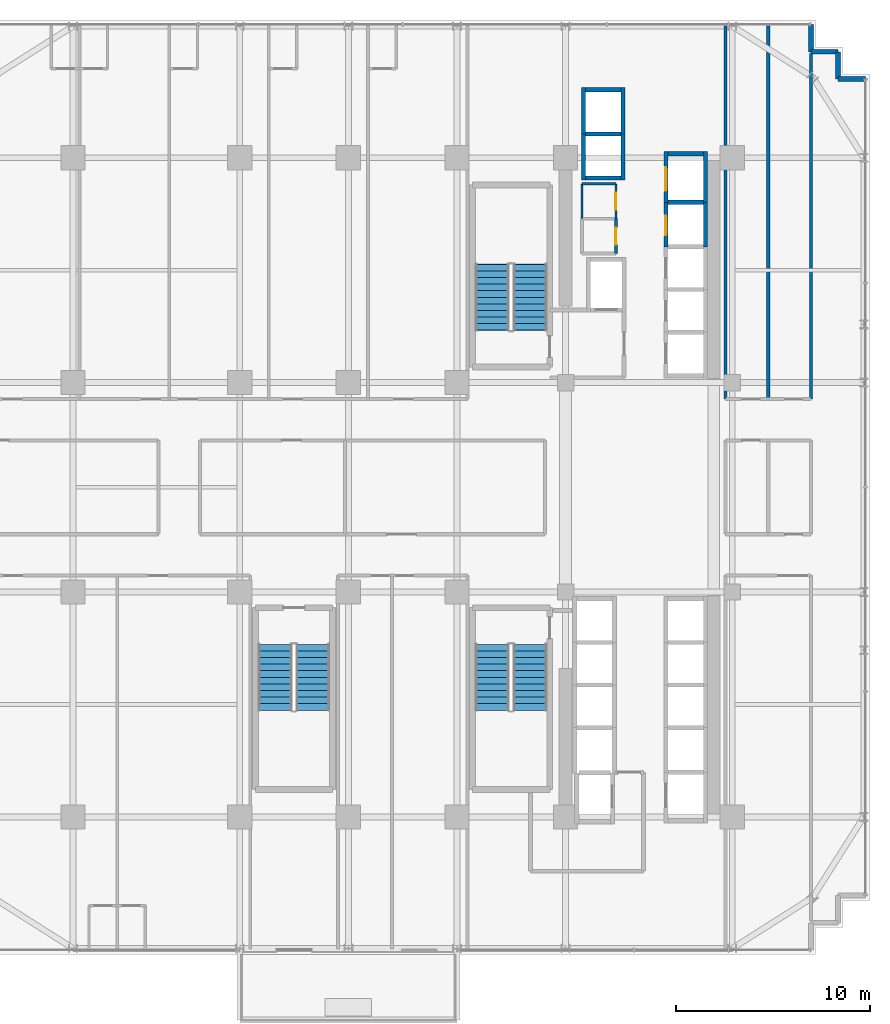
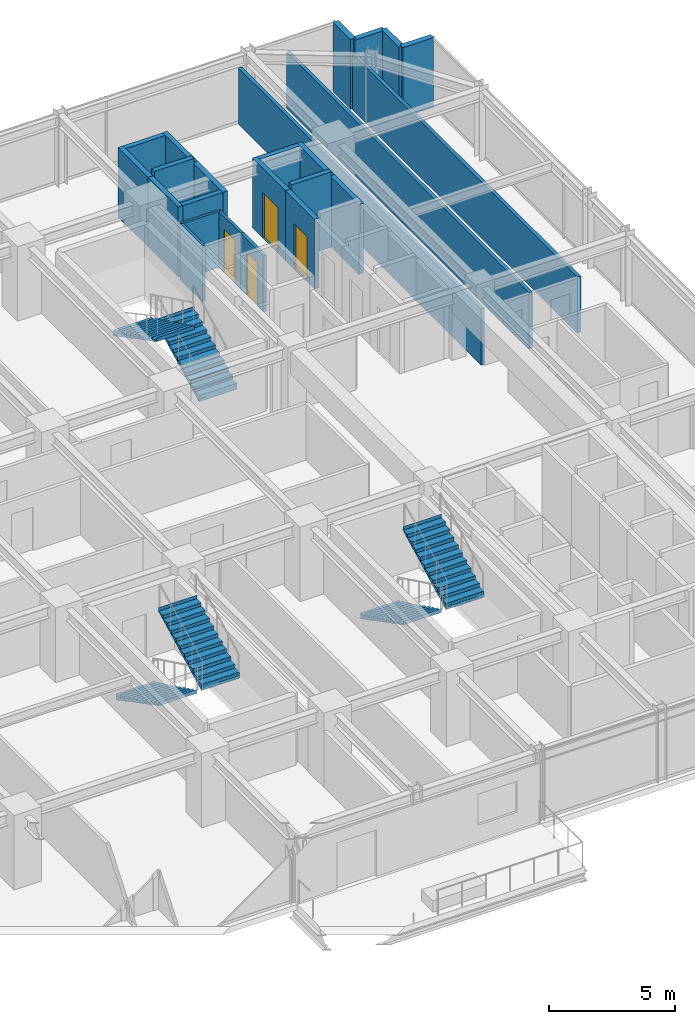
# One storey, part 28 of 31: 24 walls, 6 stair flights, 4 doors, 4 openings, 3 elements without a shape of their own.
"""IFC4 building model written with IfcOpenShell, lengths in metres."""

from ifc_helpers import new_model, si_unit, direction, frame, frame_2d, origin, place, context, subcontext, project, spatial, polyline, rectangle, outline, extrude, source, transform, mapped, material, layer, layer_set, type_object, element, fill, aggregate, save


model = new_model("IFC4")

# Units and contexts
model_context = context("Model", 3, precision=1e-05, world=origin(), true_north=direction((0.0, 1.0)))
body_context = subcontext(model_context, "Body", "Model", "MODEL_VIEW")
ifc_project = project(units=[si_unit("LENGTHUNIT", "METRE"), si_unit("AREAUNIT", "SQUARE_METRE"), si_unit("VOLUMEUNIT", "CUBIC_METRE"), si_unit("PLANEANGLEUNIT", "RADIAN"), si_unit("MASSUNIT", "GRAM", prefix="KILO")], contexts=[model_context])

# Site, building, storey
site_placement = place(None, origin())
site = spatial("IfcSite", under=ifc_project, at=site_placement, CompositionType="ELEMENT")
building_placement = place(site_placement, origin())
building = spatial("IfcBuilding", under=site, at=building_placement, Name="Nahalor Promenade Grand Hotel", CompositionType="ELEMENT")
storey_placement = place(building_placement, frame((0.0, 0.0, 95.60009765625)))
storey = spatial("IfcBuildingStorey", under=building, at=storey_placement, Name="L23", CompositionType="ELEMENT", Elevation=95.60009765625)

# Walls
ifc_material_1 = material(Name="Concrete B-50 (C40/50)", Category="concrete")
ifc_layer_1 = layer(ifc_material_1, 0.219970703125)
ifc_layer_set_1 = layer_set([ifc_layer_1], Name="Concrete B-50 (C40/50)")
wall_type_1 = type_object("IfcWallType", Name="Wall-LiftShaft-220", PredefinedType="SHEAR", material=ifc_layer_set_1)
shared_shape_1 = source(origin(), body_context, "Body", "SweptSolid", [
    extrude(rectangle(XDim=1.820068359375, YDim=0.219970703125, at=frame_2d((0.91015625, 0.0))), origin(), (0.0, 0.0, 1.0), 3.64990234375),
])
for number, where, z_axis, x_axis, name in (
    (1, (13.68994140625, 14.699951171875, 0.0), (0.0, 0.0, 1.0), (1.0, 0.0, 0.0), "L23 Lift PL4 Hoistway Wall N"),
    (2, (9.43994140625, 18.22509765625, 0.0), (0.0, 0.0, 1.0), (1.0, 0.0, 0.0), "L23 Lift OB1 Hoistway Wall N"),
):
    element("IfcWall", number, at=place(storey_placement, frame(where, z_axis=z_axis, x_axis=x_axis)), inside=storey, type_object=wall_type_1, Name=name, PredefinedType="SHEAR", context=body_context, shape_type="MappedRepresentation", body=[
        mapped(shared_shape_1, transform((0.0, 0.0, 0.0), scale=1.0)),
    ])
shared_shape_2 = source(origin(), body_context, "Body", "SweptSolid", [
    extrude(rectangle(XDim=1.820068359375, YDim=0.219970703125, at=frame_2d((0.91015625, 0.0))), origin(), (0.0, 0.0, 1.0), 3.3798828125),
])
for number, where, z_axis, x_axis, name in (
    (3, (9.43994140625, 15.949951171875, 0.0), (0.0, 0.0, 1.0), (1.0, 0.0, 0.0), "L23 Lift OB1 Hoistway Wall S"),
    (4, (9.43994140625, 20.5, 0.0), (0.0, 0.0, 1.0), (1.0, 0.0, 0.0), "L23 Lift OB2 Hoistway Wall N"),
    (5, (13.68994140625, 17.199951171875, 0.0), (0.0, 0.0, 1.0), (1.0, 0.0, 0.0), "L23 Lift SV1 Hoistway Wall N"),
):
    element("IfcWall", number, at=place(storey_placement, frame(where, z_axis=z_axis, x_axis=x_axis)), inside=storey, type_object=wall_type_1, Name=name, PredefinedType="SHEAR", context=body_context, shape_type="MappedRepresentation", body=[
        mapped(shared_shape_2, transform((0.0, 0.0, 0.0), scale=1.0)),
    ])

# Wall, opening, door
shared_shape_3 = source(origin(), body_context, "Body", "SweptSolid", [
    extrude(rectangle(XDim=2.300048828125, YDim=0.219970703125, at=frame_2d((1.14990234375, 0.0))), origin(), (0.0, 0.0, 1.0), 3.3798828125),
])
wall_1_placement = place(storey_placement, frame((13.580078125, 12.39990234375, 0.0), z_axis=(0.0, 0.0, 1.0), x_axis=(0.0, 1.0, 0.0)))
wall_1 = element("IfcWall", 6, at=wall_1_placement, inside=storey, type_object=wall_type_1, Name="L23 Lift PL4 Hoistway Wall W", PredefinedType="SHEAR", context=body_context, shape_type="MappedRepresentation", body=[
    mapped(shared_shape_3, transform((0.0, 0.0, 0.0), scale=1.0)),
])
opening_1_placement = place(wall_1_placement, frame((0.60009765625, 0.0, 0.0)))
opening_1 = element("IfcOpeningElement", 7, at=opening_1_placement, cuts=wall_1, Name="Opening LD-01", PredefinedType="OPENING", context=body_context, shape_type="SweptSolid", body=[
    extrude(rectangle(XDim=1.0, YDim=2.199951171875, at=frame_2d((0.5, 1.10009765625))), frame((0.0, 0.119873046875, 0.0), z_axis=(0.0, -1.0, 0.0), x_axis=(1.0, 0.0, 0.0)), (0.0, 0.0, 1.0), 0.239990234375),
])
ifc_material_2 = material(Name="Steel S355JR", Category="steel")
door_type_1 = type_object("IfcDoorType", Name="Door-LiftLanding-1000", OperationType="DOUBLE_DOOR_SLIDING", PredefinedType="DOOR", material=ifc_material_2)
shared_shape_4 = source(origin(), body_context, "Body", "SweptSolid", [
    extrude(rectangle(XDim=1.0, YDim=2.199951171875, at=frame_2d((0.5, 1.10009765625))), frame((0.0, 0.02490234375, 0.0), z_axis=(0.0, -1.0, 0.0), x_axis=(1.0, 0.0, 0.0)), (0.0, 0.0, 1.0), 0.050048828125),
])
door_1_placement = place(opening_1_placement, origin())
door_1 = element("IfcDoor", 8, at=door_1_placement, inside=storey, type_object=door_type_1, Name="DR-LIFT-PL4-L23", OperationType="DOUBLE_DOOR_SLIDING", OverallHeight=2.199951171875, OverallWidth=1.0, PredefinedType="DOOR", context=body_context, shape_type="MappedRepresentation", body=[
    mapped(shared_shape_4, transform((0.0, 0.0, 0.0), scale=1.0)),
])
fill(opening_1, door_1)

# Walls
wall_2_placement = place(storey_placement, frame((15.6201171875, 12.39990234375, 0.0), z_axis=(0.0, 0.0, 1.0), x_axis=(0.0, 1.0, 0.0)))
element("IfcWall", 9, at=wall_2_placement, inside=storey, type_object=wall_type_1, Name="L23 Lift PL4 Hoistway Wall E", PredefinedType="SHEAR", context=body_context, shape_type="MappedRepresentation", body=[
    mapped(shared_shape_3, transform((0.0, 0.0, 0.0), scale=1.0)),
])
shared_shape_5 = source(origin(), body_context, "Body", "SweptSolid", [
    extrude(rectangle(XDim=2.385009765625, YDim=0.219970703125, at=frame_2d((1.1923828125, 0.0))), origin(), (0.0, 0.0, 1.0), 3.3798828125),
])
for number, where, z_axis, x_axis, name in (
    (10, (9.330078125, 15.840087890625, 0.0), (0.0, 0.0, 1.0), (0.0, 1.0, 0.0), "L23 Lift OB1 Hoistway Wall W"),
    (11, (11.3701171875, 15.840087890625, 0.0), (0.0, 0.0, 1.0), (0.0, 1.0, 0.0), "L23 Lift OB1 Hoistway Wall E"),
    (12, (9.330078125, 18.22509765625, 0.0), (0.0, 0.0, 1.0), (0.0, 1.0, 0.0), "L23 Lift OB2 Hoistway Wall W"),
    (13, (11.3701171875, 18.22509765625, 0.0), (0.0, 0.0, 1.0), (0.0, 1.0, 0.0), "L23 Lift OB2 Hoistway Wall E"),
):
    element("IfcWall", number, at=place(storey_placement, frame(where, z_axis=z_axis, x_axis=x_axis)), inside=storey, type_object=wall_type_1, Name=name, PredefinedType="SHEAR", context=body_context, shape_type="MappedRepresentation", body=[
        mapped(shared_shape_5, transform((0.0, 0.0, 0.0), scale=1.0)),
    ])

# Wall, opening, door
shared_shape_6 = source(origin(), body_context, "Body", "SweptSolid", [
    extrude(rectangle(XDim=2.610107421875, YDim=0.219970703125, at=frame_2d((1.30517578125, 0.0))), origin(), (0.0, 0.0, 1.0), 3.3798828125),
])
wall_3_placement = place(storey_placement, frame((13.580078125, 14.699951171875, 0.0), z_axis=(0.0, 0.0, 1.0), x_axis=(0.0, 1.0, 0.0)))
wall_3 = element("IfcWall", 14, at=wall_3_placement, inside=storey, type_object=wall_type_1, Name="L23 Lift SV1 Hoistway Wall W", PredefinedType="SHEAR", context=body_context, shape_type="MappedRepresentation", body=[
    mapped(shared_shape_6, transform((0.0, 0.0, 0.0), scale=1.0)),
])
opening_2_placement = place(wall_3_placement, frame((0.60009765625, 0.0, 0.0)))
opening_2 = element("IfcOpeningElement", 15, at=opening_2_placement, cuts=wall_3, Name="Opening LD-03", PredefinedType="OPENING", context=body_context, shape_type="SweptSolid", body=[
    extrude(rectangle(XDim=1.199951171875, YDim=2.199951171875, at=frame_2d((0.60009765625, 1.10009765625))), frame((0.0, 0.119873046875, 0.0), z_axis=(0.0, -1.0, 0.0), x_axis=(1.0, 0.0, 0.0)), (0.0, 0.0, 1.0), 0.239990234375),
])
door_type_2 = type_object("IfcDoorType", Name="Door-LiftService-1200", OperationType="DOUBLE_DOOR_SLIDING", PredefinedType="DOOR", material=ifc_material_2)
shared_shape_7 = source(origin(), body_context, "Body", "SweptSolid", [
    extrude(rectangle(XDim=1.199951171875, YDim=2.199951171875, at=frame_2d((0.60009765625, 1.10009765625))), frame((0.0, 0.02490234375, 0.0), z_axis=(0.0, -1.0, 0.0), x_axis=(1.0, 0.0, 0.0)), (0.0, 0.0, 1.0), 0.050048828125),
])
door_2_placement = place(opening_2_placement, origin())
door_2 = element("IfcDoor", 16, at=door_2_placement, inside=storey, type_object=door_type_2, Name="DR-LIFT-SV1-L23", OperationType="DOUBLE_DOOR_SLIDING", OverallHeight=2.199951171875, OverallWidth=1.199951171875, PredefinedType="DOOR", context=body_context, shape_type="MappedRepresentation", body=[
    mapped(shared_shape_7, transform((0.0, 0.0, 0.0), scale=1.0)),
])
fill(opening_2, door_2)

# Walls
wall_4_placement = place(storey_placement, frame((15.6201171875, 14.699951171875, 0.0), z_axis=(0.0, 0.0, 1.0), x_axis=(0.0, 1.0, 0.0)))
element("IfcWall", 17, at=wall_4_placement, inside=storey, type_object=wall_type_1, Name="L23 Lift SV1 Hoistway Wall E", PredefinedType="SHEAR", context=body_context, shape_type="MappedRepresentation", body=[
    mapped(shared_shape_6, transform((0.0, 0.0, 0.0), scale=1.0)),
])
ifc_material_3 = material(Name="Concrete B-40 (C32/40)", Category="concrete")
ifc_layer_2 = layer(ifc_material_3, 0.25)
ifc_layer_set_2 = layer_set([ifc_layer_2], Name="Concrete B-40 (C32/40)")
wall_type_2 = type_object("IfcWallType", Name="Wall-BronzePier-250", PredefinedType="STANDARD", material=ifc_layer_set_2)
shared_shape_8 = source(origin(), body_context, "Body", "SweptSolid", [
    extrude(rectangle(XDim=1.400146484375, YDim=0.25, at=frame_2d((0.7001953125, 0.0))), origin(), (0.0, 0.0, 1.0), 3.3798828125),
])
for number, where, z_axis, x_axis, name in (
    (18, (22.4599609375, 21.06005859375, 0.0), (0.0, 0.0, 1.0), (1.0, 0.0, 0.0), "W-L23-SR-05"),
    (19, (21.06005859375, 22.4599609375, 0.0), (0.0, 0.0, 1.0), (0.0, 1.0, 0.0), "W-L23-SR-08"),
):
    element("IfcWall", number, at=place(storey_placement, frame(where, z_axis=z_axis, x_axis=x_axis)), inside=storey, type_object=wall_type_2, Name=name, PredefinedType="STANDARD", context=body_context, shape_type="MappedRepresentation", body=[
        mapped(shared_shape_8, transform((0.0, 0.0, 0.0), scale=1.0)),
    ])
shared_shape_9 = source(origin(), body_context, "Body", "SweptSolid", [
    extrude(rectangle(XDim=1.39990234375, YDim=0.25, at=frame_2d((0.699951171875, 0.0))), origin(), (0.0, 0.0, 1.0), 3.3798828125),
])
for number, where, z_axis, x_axis, name in (
    (20, (22.4599609375, 21.06005859375, 0.0), (0.0, 0.0, 1.0), (0.0, 1.0, 0.0), "W-L23-SR-06"),
    (21, (21.06005859375, 22.4599609375, 0.0), (0.0, 0.0, 1.0), (1.0, 0.0, 0.0), "W-L23-SR-07"),
):
    element("IfcWall", number, at=place(storey_placement, frame(where, z_axis=z_axis, x_axis=x_axis)), inside=storey, type_object=wall_type_2, Name=name, PredefinedType="STANDARD", context=body_context, shape_type="MappedRepresentation", body=[
        mapped(shared_shape_9, transform((0.0, 0.0, 0.0), scale=1.0)),
    ])
ifc_material_4 = material(Name="Acoustic Mineral Gypsum", Category="gypsum")
ifc_layer_3 = layer(ifc_material_4, 0.1201171875)
ifc_layer_set_3 = layer_set([ifc_layer_3], Name="Acoustic Mineral Gypsum")
wall_type_3 = type_object("IfcWallType", Name="Wall-PartBath-120", PredefinedType="PARTITIONING", material=ifc_layer_set_3)
shared_shape_10 = source(origin(), body_context, "Body", "SweptSolid", [
    extrude(rectangle(XDim=1.75, YDim=0.1201171875, at=frame_2d((0.875, 0.0))), origin(), (0.0, 0.0, 1.0), 2.719970703125),
])
wall_5_placement = place(storey_placement, frame((9.25, 15.64990234375, 0.0), z_axis=(0.0, 0.0, 1.0), x_axis=(1.0, 0.0, 0.0)))
element("IfcWall", 22, at=wall_5_placement, inside=storey, type_object=wall_type_3, Name="W-L23-CK2B-N", PredefinedType="PARTITIONING", context=body_context, shape_type="MappedRepresentation", body=[
    mapped(shared_shape_10, transform((0.0, 0.0, 0.0), scale=1.0)),
])
ifc_layer_4 = layer(ifc_material_4, 0.159912109375)
ifc_layer_set_4 = layer_set([ifc_layer_4], Name="Acoustic Mineral Gypsum")
wall_type_4 = type_object("IfcWallType", Name="Wall-PartCorridor-160", PredefinedType="PARTITIONING", material=ifc_layer_set_4)
shared_shape_11 = source(origin(), body_context, "Body", "SweptSolid", [
    extrude(rectangle(XDim=19.25, YDim=0.159912109375, at=frame_2d((9.625, 0.0))), origin(), (0.0, 0.0, 1.0), 2.719970703125),
])
for number, where, z_axis, x_axis, name in (
    (23, (16.64990234375, 4.550048828125, 0.0), (0.0, 0.0, 1.0), (0.0, 1.0, 0.0), "W-L23-ENE1-W"),
    (24, (18.85498046875, 4.550048828125, 0.0), (0.0, 0.0, 1.0), (0.0, 1.0, 0.0), "W-L23-ENE1-E"),
):
    element("IfcWall", number, at=place(storey_placement, frame(where, z_axis=z_axis, x_axis=x_axis)), inside=storey, type_object=wall_type_4, Name=name, PredefinedType="PARTITIONING", context=body_context, shape_type="MappedRepresentation", body=[
        mapped(shared_shape_11, transform((0.0, 0.0, 0.0), scale=1.0)),
    ])
shared_shape_12 = source(origin(), body_context, "Body", "SweptSolid", [
    extrude(rectangle(XDim=17.829833984375, YDim=0.159912109375, at=frame_2d((8.9150390625, 0.0))), origin(), (0.0, 0.0, 1.0), 2.719970703125),
])
wall_6_placement = place(storey_placement, frame((21.06005859375, 4.550048828125, 0.0), z_axis=(0.0, 0.0, 1.0), x_axis=(0.0, 1.0, 0.0)))
element("IfcWall", 25, at=wall_6_placement, inside=storey, type_object=wall_type_4, Name="W-L23-ENE2-E", PredefinedType="PARTITIONING", context=body_context, shape_type="MappedRepresentation", body=[
    mapped(shared_shape_12, transform((0.0, 0.0, 0.0), scale=1.0)),
])

# Wall, opening, door
ifc_layer_5 = layer(ifc_material_4, 0.14990234375)
ifc_layer_set_5 = layer_set([ifc_layer_5], Name="Acoustic Mineral Gypsum")
wall_type_5 = type_object("IfcWallType", Name="Wall-PartService-150", PredefinedType="PARTITIONING", material=ifc_layer_set_5)
shared_shape_13 = source(origin(), body_context, "Body", "SweptSolid", [
    extrude(rectangle(XDim=1.800048828125, YDim=0.14990234375, at=frame_2d((0.89990234375, 0.0))), origin(), (0.0, 0.0, 1.0), 2.719970703125),
])
wall_7_placement = place(storey_placement, frame((11.0, 12.050048828125, 0.0), z_axis=(0.0, 0.0, 1.0), x_axis=(0.0, 1.0, 0.0)))
wall_7 = element("IfcWall", 26, at=wall_7_placement, inside=storey, type_object=wall_type_5, Name="W-L23-CK2A-E", PredefinedType="PARTITIONING", context=body_context, shape_type="MappedRepresentation", body=[
    mapped(shared_shape_13, transform((0.0, 0.0, 0.0), scale=1.0)),
])
opening_3_placement = place(wall_7_placement, frame((0.4599609375, 0.0, 0.0)))
opening_3 = element("IfcOpeningElement", 27, at=opening_3_placement, cuts=wall_7, Name="Opening D-03", PredefinedType="OPENING", context=body_context, shape_type="SweptSolid", body=[
    extrude(rectangle(XDim=0.8798828125, YDim=2.10009765625, at=frame_2d((0.43994140625, 1.050048828125))), frame((0.0, 0.0849609375, 0.0), z_axis=(0.0, -1.0, 0.0), x_axis=(1.0, 0.0, 0.0)), (0.0, 0.0, 1.0), 0.169921875),
])
ifc_material_5 = material(Name="Fire-Rated Timber Composite", Category="wood")
door_type_3 = type_object("IfcDoorType", Name="Door-BathSwing-880", OperationType="NOTDEFINED", PredefinedType="DOOR", material=ifc_material_5)
shared_shape_14 = source(origin(), body_context, "Body", "SweptSolid", [
    extrude(rectangle(XDim=0.8798828125, YDim=2.10009765625, at=frame_2d((0.43994140625, 1.050048828125))), frame((0.0, 0.02490234375, 0.0), z_axis=(0.0, -1.0, 0.0), x_axis=(1.0, 0.0, 0.0)), (0.0, 0.0, 1.0), 0.050048828125),
])
door_3_placement = place(opening_3_placement, origin())
door_3 = element("IfcDoor", 28, at=door_3_placement, inside=storey, type_object=door_type_3, Name="DR-L23-CK2A", OperationType="SINGLE_SWING_LEFT", OverallHeight=2.10009765625, OverallWidth=0.8798828125, PredefinedType="DOOR", context=body_context, shape_type="MappedRepresentation", body=[
    mapped(shared_shape_14, transform((0.0, 0.0, 0.0), scale=1.0)),
])
fill(opening_3, door_3)

# Wall
shared_shape_15 = source(origin(), body_context, "Body", "SweptSolid", [
    extrude(rectangle(XDim=1.7998046875, YDim=0.1201171875, at=frame_2d((0.89990234375, 0.0))), origin(), (0.0, 0.0, 1.0), 2.719970703125),
])
wall_8_placement = place(storey_placement, frame((9.25, 13.85009765625, 0.0), z_axis=(0.0, 0.0, 1.0), x_axis=(0.0, 1.0, 0.0)))
element("IfcWall", 29, at=wall_8_placement, inside=storey, type_object=wall_type_3, Name="W-L23-CK2B-W", PredefinedType="PARTITIONING", context=body_context, shape_type="MappedRepresentation", body=[
    mapped(shared_shape_15, transform((0.0, 0.0, 0.0), scale=1.0)),
])

# Wall, opening, door
wall_9_placement = place(storey_placement, frame((11.0, 13.85009765625, 0.0), z_axis=(0.0, 0.0, 1.0), x_axis=(0.0, 1.0, 0.0)))
wall_9 = element("IfcWall", 30, at=wall_9_placement, inside=storey, type_object=wall_type_3, Name="W-L23-CK2B-E", PredefinedType="PARTITIONING", context=body_context, shape_type="MappedRepresentation", body=[
    mapped(shared_shape_15, transform((0.0, 0.0, 0.0), scale=1.0)),
])
opening_4_placement = place(wall_9_placement, frame((0.4599609375, 0.0, 0.0)))
opening_4 = element("IfcOpeningElement", 31, at=opening_4_placement, cuts=wall_9, Name="Opening D-03", PredefinedType="OPENING", context=body_context, shape_type="SweptSolid", body=[
    extrude(rectangle(XDim=0.8798828125, YDim=2.10009765625, at=frame_2d((0.43994140625, 1.050048828125))), frame((0.0, 0.070068359375, 0.0), z_axis=(0.0, -1.0, 0.0), x_axis=(1.0, 0.0, 0.0)), (0.0, 0.0, 1.0), 0.14013671875),
])
door_4_placement = place(opening_4_placement, origin())
door_4 = element("IfcDoor", 32, at=door_4_placement, inside=storey, type_object=door_type_3, Name="DR-L23-CK2B", OperationType="SINGLE_SWING_RIGHT", OverallHeight=2.10009765625, OverallWidth=0.8798828125, PredefinedType="DOOR", context=body_context, shape_type="MappedRepresentation", body=[
    mapped(shared_shape_14, transform((0.0, 0.0, 0.0), scale=1.0)),
])
fill(opening_4, door_4)

# Stair, stair flights
stair_type_1 = type_object("IfcStairType", Name="Stair-ST1", PredefinedType="HALF_TURN_STAIR", material=ifc_material_1)
stair_1_placement = place(storey_placement, origin())
stair_1 = element("IfcStair", 33, at=stair_1_placement, inside=storey, type_object=stair_type_1, Name="L23 ST1", PredefinedType="HALF_TURN_STAIR")
ifc_layer_6 = layer(ifc_material_1, 0.179931640625)
ifc_layer_set_6 = layer_set([ifc_layer_6], Name="Concrete B-50 (C40/50)")
stair_flight_type_1 = type_object("IfcStairFlightType", Name="Flight-ST1", PredefinedType="STRAIGHT", material=ifc_layer_set_6)
shared_shape_16 = source(origin(), body_context, "Body", "SweptSolid", [
    extrude(outline(polyline([(-0.00390625, -0.1201171875), (-0.00390625, 0.0), (0.0, 0.0), (0.0, 0.166015625), (0.340087890625, 0.166015625), (0.340087890625, 0.331787109375), (0.679931640625, 0.331787109375), (0.679931640625, 0.497802734375), (1.02001953125, 0.497802734375), (1.02001953125, 0.66357421875), (1.360107421875, 0.66357421875), (1.360107421875, 0.82958984375), (1.699951171875, 0.82958984375), (1.699951171875, 0.995361328125), (2.0400390625, 0.995361328125), (2.0400390625, 1.161376953125), (2.3798828125, 1.161376953125), (2.3798828125, 1.327392578125), (2.719970703125, 1.327392578125), (2.719970703125, 1.4931640625), (3.06005859375, 1.4931640625), (3.06005859375, 1.6591796875), (3.39990234375, 1.6591796875), (3.39990234375, 1.824951171875), (3.404052734375, 1.824951171875), (3.404052734375, 1.64501953125), (0.02001953125, -0.1201171875), (-0.00390625, -0.1201171875)])), frame((0.0, 0.875, 0.0), z_axis=(0.0, -1.0, 0.0), x_axis=(1.0, 0.0, 0.0)), (0.0, 0.0, 1.0), 1.75),
])
stair_flight_1_placement = place(storey_placement, frame((6.574951171875, 8.10009765625, 0.0), z_axis=(0.0, 0.0, 1.0), x_axis=(0.0, 1.0, 0.0)))
stair_flight_1 = element("IfcStairFlight", 34, at=stair_flight_1_placement, type_object=stair_flight_type_1, Name="ST1 flight 1", NumberOfRisers=11, NumberOfTreads=10, PredefinedType="STRAIGHT", RiserHeight=0.165909091, TreadLength=0.34, context=body_context, shape_type="MappedRepresentation", body=[
    mapped(shared_shape_16, transform((0.0, 0.0, 0.0), scale=1.0)),
])
stair_flight_2_placement = place(storey_placement, frame((4.625, 11.5, 1.824951171875), z_axis=(0.0, 0.0, 1.0), x_axis=(0.0, -1.0, 0.0)))
stair_flight_2 = element("IfcStairFlight", 35, at=stair_flight_2_placement, type_object=stair_flight_type_1, Name="ST1 flight 2", NumberOfRisers=11, NumberOfTreads=10, PredefinedType="STRAIGHT", RiserHeight=0.165909091, TreadLength=0.34, context=body_context, shape_type="MappedRepresentation", body=[
    mapped(shared_shape_16, transform((0.0, 0.0, 0.0), scale=1.0)),
])
aggregate(stair_1, [stair_flight_1, stair_flight_2])

stair_type_2 = type_object("IfcStairType", Name="Stair-ST2", PredefinedType="HALF_TURN_STAIR", material=ifc_material_1)
stair_2_placement = place(storey_placement, origin())
stair_2 = element("IfcStair", 36, at=stair_2_placement, inside=storey, type_object=stair_type_2, Name="L23 ST2", PredefinedType="HALF_TURN_STAIR")
ifc_layer_7 = layer(ifc_material_1, 0.18994140625)
ifc_layer_set_7 = layer_set([ifc_layer_7], Name="Concrete B-50 (C40/50)")
stair_flight_type_2 = type_object("IfcStairFlightType", Name="Flight-ST2", PredefinedType="STRAIGHT", material=ifc_layer_set_7)
shared_shape_17 = source(origin(), body_context, "Body", "SweptSolid", [
    extrude(outline(polyline([(-0.00390625, -0.1201171875), (-0.00390625, 0.0), (0.0, 0.0), (0.0, 0.166015625), (0.340087890625, 0.166015625), (0.340087890625, 0.331787109375), (0.679931640625, 0.331787109375), (0.679931640625, 0.497802734375), (1.02001953125, 0.497802734375), (1.02001953125, 0.66357421875), (1.360107421875, 0.66357421875), (1.360107421875, 0.82958984375), (1.699951171875, 0.82958984375), (1.699951171875, 0.995361328125), (2.0400390625, 0.995361328125), (2.0400390625, 1.161376953125), (2.3798828125, 1.161376953125), (2.3798828125, 1.327392578125), (2.719970703125, 1.327392578125), (2.719970703125, 1.4931640625), (3.06005859375, 1.4931640625), (3.06005859375, 1.6591796875), (3.39990234375, 1.6591796875), (3.39990234375, 1.824951171875), (3.404052734375, 1.824951171875), (3.404052734375, 1.64501953125), (0.02001953125, -0.1201171875), (-0.00390625, -0.1201171875)])), frame((0.0, 0.875, 0.0), z_axis=(0.0, -1.0, 0.0), x_axis=(1.0, 0.0, 0.0)), (0.0, 0.0, 1.0), 1.75),
])
stair_flight_3_placement = place(storey_placement, frame((4.625, -8.10009765625, 0.0), z_axis=(0.0, 0.0, 1.0), x_axis=(0.0, -1.0, 0.0)))
stair_flight_3 = element("IfcStairFlight", 37, at=stair_flight_3_placement, type_object=stair_flight_type_2, Name="ST2 flight 1", NumberOfRisers=11, NumberOfTreads=10, PredefinedType="STRAIGHT", RiserHeight=0.165909091, TreadLength=0.34, context=body_context, shape_type="MappedRepresentation", body=[
    mapped(shared_shape_17, transform((0.0, 0.0, 0.0), scale=1.0)),
])
stair_flight_4_placement = place(storey_placement, frame((6.574951171875, -11.5, 1.824951171875), z_axis=(0.0, 0.0, 1.0), x_axis=(0.0, 1.0, 0.0)))
stair_flight_4 = element("IfcStairFlight", 38, at=stair_flight_4_placement, type_object=stair_flight_type_2, Name="ST2 flight 2", NumberOfRisers=11, NumberOfTreads=10, PredefinedType="STRAIGHT", RiserHeight=0.165909091, TreadLength=0.34, context=body_context, shape_type="MappedRepresentation", body=[
    mapped(shared_shape_17, transform((0.0, 0.0, 0.0), scale=1.0)),
])
aggregate(stair_2, [stair_flight_3, stair_flight_4])

stair_type_3 = type_object("IfcStairType", Name="Stair-ST3", PredefinedType="HALF_TURN_STAIR", material=ifc_material_1)
stair_3_placement = place(storey_placement, origin())
stair_3 = element("IfcStair", 39, at=stair_3_placement, inside=storey, type_object=stair_type_3, Name="L23 ST3", PredefinedType="HALF_TURN_STAIR")
ifc_layer_8 = layer(ifc_material_1, 0.199951171875)
ifc_layer_set_8 = layer_set([ifc_layer_8], Name="Concrete B-50 (C40/50)")
stair_flight_type_3 = type_object("IfcStairFlightType", Name="Flight-ST3", PredefinedType="STRAIGHT", material=ifc_layer_set_8)
shared_shape_18 = source(origin(), body_context, "Body", "SweptSolid", [
    extrude(outline(polyline([(-0.00390625, -0.1201171875), (-0.00390625, 0.0), (0.0, 0.0), (0.0, 0.166015625), (0.340087890625, 0.166015625), (0.340087890625, 0.331787109375), (0.679931640625, 0.331787109375), (0.679931640625, 0.497802734375), (1.02001953125, 0.497802734375), (1.02001953125, 0.66357421875), (1.360107421875, 0.66357421875), (1.360107421875, 0.82958984375), (1.699951171875, 0.82958984375), (1.699951171875, 0.995361328125), (2.0400390625, 0.995361328125), (2.0400390625, 1.161376953125), (2.3798828125, 1.161376953125), (2.3798828125, 1.327392578125), (2.719970703125, 1.327392578125), (2.719970703125, 1.4931640625), (3.06005859375, 1.4931640625), (3.06005859375, 1.6591796875), (3.39990234375, 1.6591796875), (3.39990234375, 1.824951171875), (3.404052734375, 1.824951171875), (3.404052734375, 1.64501953125), (0.02001953125, -0.1201171875), (-0.00390625, -0.1201171875)])), frame((0.0, 0.875, 0.0), z_axis=(0.0, -1.0, 0.0), x_axis=(1.0, 0.0, 0.0)), (0.0, 0.0, 1.0), 1.75),
])
stair_flight_5_placement = place(storey_placement, frame((-6.574951171875, -8.10009765625, 0.0), z_axis=(0.0, 0.0, 1.0), x_axis=(0.0, -1.0, 0.0)))
stair_flight_5 = element("IfcStairFlight", 40, at=stair_flight_5_placement, type_object=stair_flight_type_3, Name="ST3 flight 1", NumberOfRisers=11, NumberOfTreads=10, PredefinedType="STRAIGHT", RiserHeight=0.165909091, TreadLength=0.34, context=body_context, shape_type="MappedRepresentation", body=[
    mapped(shared_shape_18, transform((0.0, 0.0, 0.0), scale=1.0)),
])
stair_flight_6_placement = place(storey_placement, frame((-4.625, -11.5, 1.824951171875), z_axis=(0.0, 0.0, 1.0), x_axis=(0.0, 1.0, 0.0)))
stair_flight_6 = element("IfcStairFlight", 41, at=stair_flight_6_placement, type_object=stair_flight_type_3, Name="ST3 flight 2", NumberOfRisers=11, NumberOfTreads=10, PredefinedType="STRAIGHT", RiserHeight=0.165909091, TreadLength=0.34, context=body_context, shape_type="MappedRepresentation", body=[
    mapped(shared_shape_18, transform((0.0, 0.0, 0.0), scale=1.0)),
])
aggregate(stair_3, [stair_flight_5, stair_flight_6])

save(model, "model.ifc")
